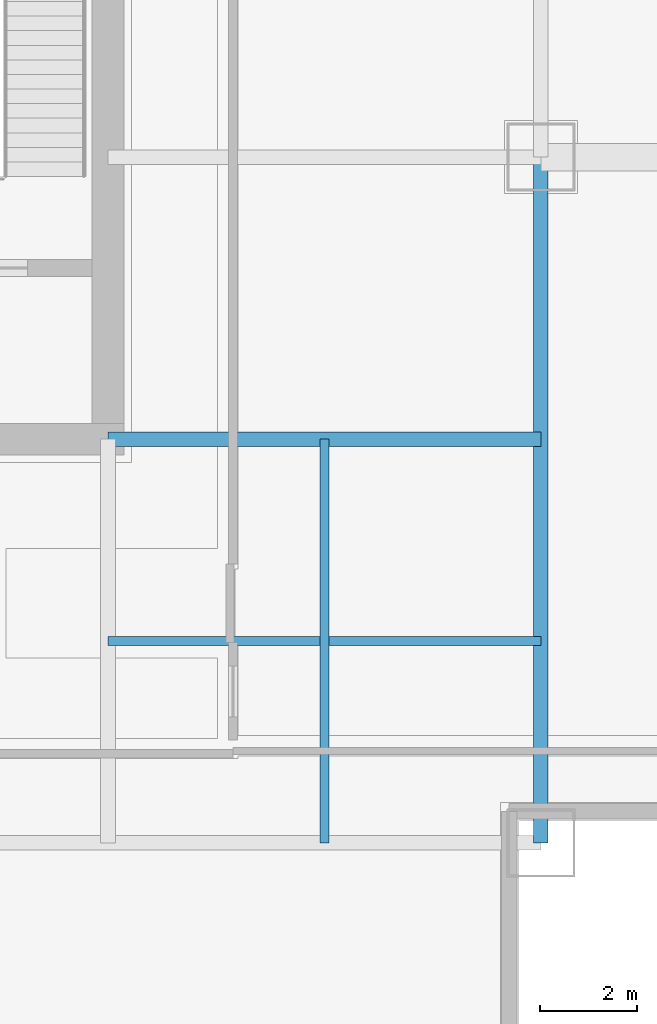
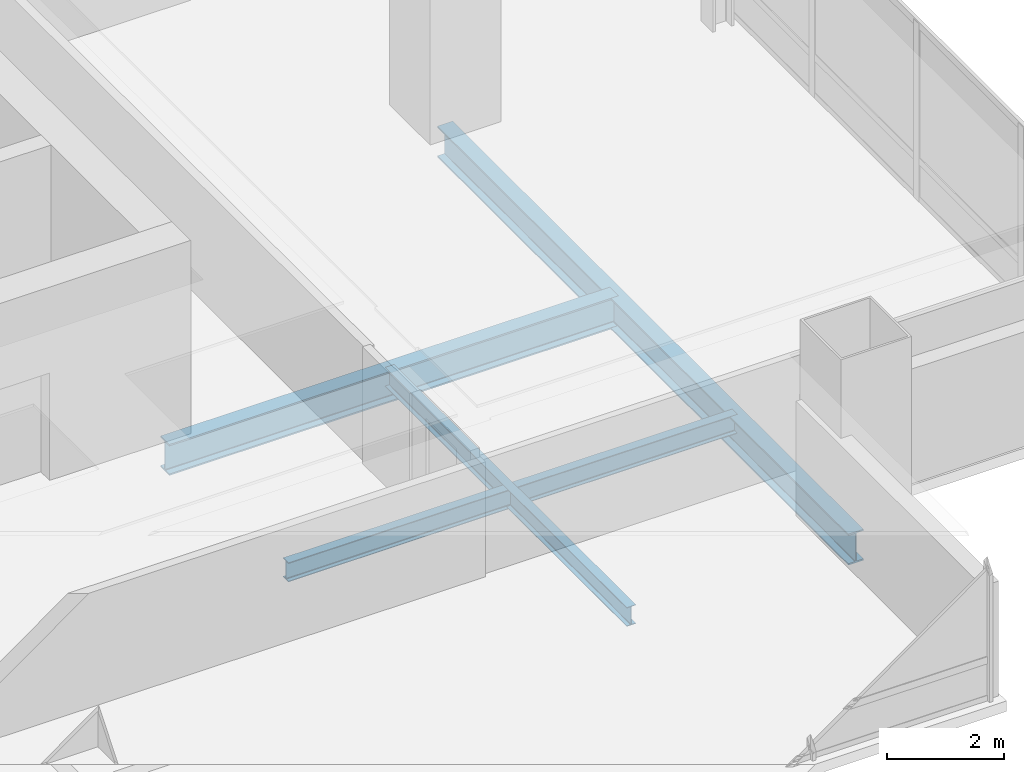
# One storey, part 15 of 35: 4 beams.
"""IFC4 building model written with IfcOpenShell, lengths in metres."""

from ifc_helpers import new_model, si_unit, direction, frame, origin, origin_2d, place, context, subcontext, project, spatial, i_section, extrude, material, material_profile, profile_set, type_object, element, save


model = new_model("IFC4")

# Units and contexts
model_context = context("Model", 3, precision=1e-05, world=origin(), true_north=direction((0.0, 1.0)))
body_context = subcontext(model_context, "Body", "Model", "MODEL_VIEW")
ifc_project = project(units=[si_unit("LENGTHUNIT", "METRE"), si_unit("AREAUNIT", "SQUARE_METRE"), si_unit("VOLUMEUNIT", "CUBIC_METRE"), si_unit("PLANEANGLEUNIT", "RADIAN"), si_unit("MASSUNIT", "GRAM", prefix="KILO")], contexts=[model_context])

# Site, building, storey
site_placement = place(None, origin())
site = spatial("IfcSite", under=ifc_project, at=site_placement, CompositionType="ELEMENT")
building_placement = place(site_placement, origin())
building = spatial("IfcBuilding", under=site, at=building_placement, Name="Punatoya Terracotta Tower", CompositionType="ELEMENT")
storey_placement = place(building_placement, frame((0.0, 0.0, 232.949951171875)))
storey = spatial("IfcBuildingStorey", under=building, at=storey_placement, Name="L55", CompositionType="ELEMENT", Elevation=232.949951171875)

# Beams
ifc_material = material(Name="Steel S355", Category="steel")
ifc_material_profile_1 = material_profile(ifc_material, i_section(OverallWidth=0.300048828125, OverallDepth=0.64990234375, WebThickness=0.01611328125, FlangeThickness=0.031005859375, FilletRadius=0.01806640625, at=origin_2d()))
ifc_profile_set_1 = profile_set([ifc_material_profile_1], Name="Steel S355")
beam_type_1 = type_object("IfcBeamType", Name="BM-PRI-650", PredefinedType="BEAM", material=ifc_profile_set_1)
beam_1_placement = place(storey_placement, frame((19.10009765625, -17.5, -0.544921875), z_axis=(0.0, 1.0, 0.0), x_axis=(-1.0, 0.0, 0.0)))
element("IfcBeam", 1, at=beam_1_placement, inside=storey, type_object=beam_type_1, Name="BM-L55-RG-E1", PredefinedType="BEAM", context=body_context, shape_type="SweptSolid", body=[
    extrude(i_section(OverallWidth=0.300048828125, OverallDepth=0.64990234375, WebThickness=0.01611328125, FlangeThickness=0.031005859375, FilletRadius=0.01806640625, at=origin_2d()), origin(), (0.0, 0.0, 1.0), 14.10009765625),
])
beam_2_placement = place(storey_placement, frame((10.199951171875, -9.199951171875, -0.544921875), z_axis=(1.0, 0.0, 0.0), x_axis=(0.0, 1.0, 0.0)))
element("IfcBeam", 2, at=beam_2_placement, inside=storey, type_object=beam_type_1, Name="BM-L55-PR-ES", PredefinedType="BEAM", context=body_context, shape_type="SweptSolid", body=[
    extrude(i_section(OverallWidth=0.300048828125, OverallDepth=0.64990234375, WebThickness=0.01611328125, FlangeThickness=0.031005859375, FilletRadius=0.01806640625, at=origin_2d()), origin(), (0.0, 0.0, 1.0), 8.900146484375),
])
ifc_material_profile_2 = material_profile(ifc_material, i_section(OverallWidth=0.179931640625, OverallDepth=0.39990234375, WebThickness=0.008544921875, FlangeThickness=0.013427734375, FilletRadius=0.01806640625, at=origin_2d()))
ifc_profile_set_2 = profile_set([ifc_material_profile_2], Name="Steel S355")
beam_type_2 = type_object("IfcBeamType", Name="BM-SEC-400", PredefinedType="JOIST", material=ifc_profile_set_2)
beam_3_placement = place(storey_placement, frame((10.199951171875, -13.35009765625, -0.419921875), z_axis=(1.0, 0.0, 0.0), x_axis=(0.0, 1.0, 0.0)))
element("IfcBeam", 3, at=beam_3_placement, inside=storey, type_object=beam_type_2, Name="BM-L55-SJS-2", PredefinedType="JOIST", context=body_context, shape_type="SweptSolid", body=[
    extrude(i_section(OverallWidth=0.179931640625, OverallDepth=0.39990234375, WebThickness=0.008544921875, FlangeThickness=0.013427734375, FilletRadius=0.01806640625, at=origin_2d()), origin(), (0.0, 0.0, 1.0), 8.900146484375),
])
beam_4_placement = place(storey_placement, frame((14.64990234375, -17.5, -0.419921875), z_axis=(0.0, 1.0, 0.0), x_axis=(-1.0, 0.0, 0.0)))
element("IfcBeam", 4, at=beam_4_placement, inside=storey, type_object=beam_type_2, Name="BM-L55-SJE-1", PredefinedType="JOIST", context=body_context, shape_type="SweptSolid", body=[
    extrude(i_section(OverallWidth=0.179931640625, OverallDepth=0.39990234375, WebThickness=0.008544921875, FlangeThickness=0.013427734375, FilletRadius=0.01806640625, at=origin_2d()), origin(), (0.0, 0.0, 1.0), 8.300048828125),
])

save(model, "model.ifc")
